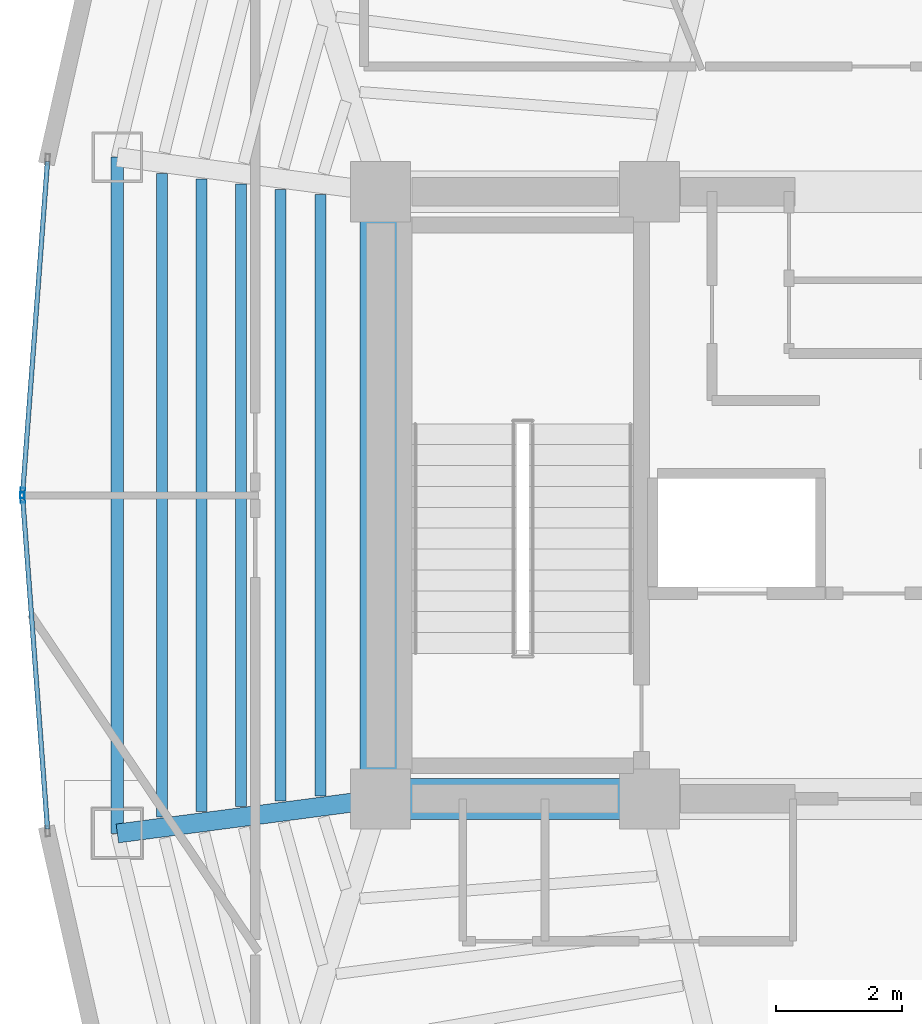
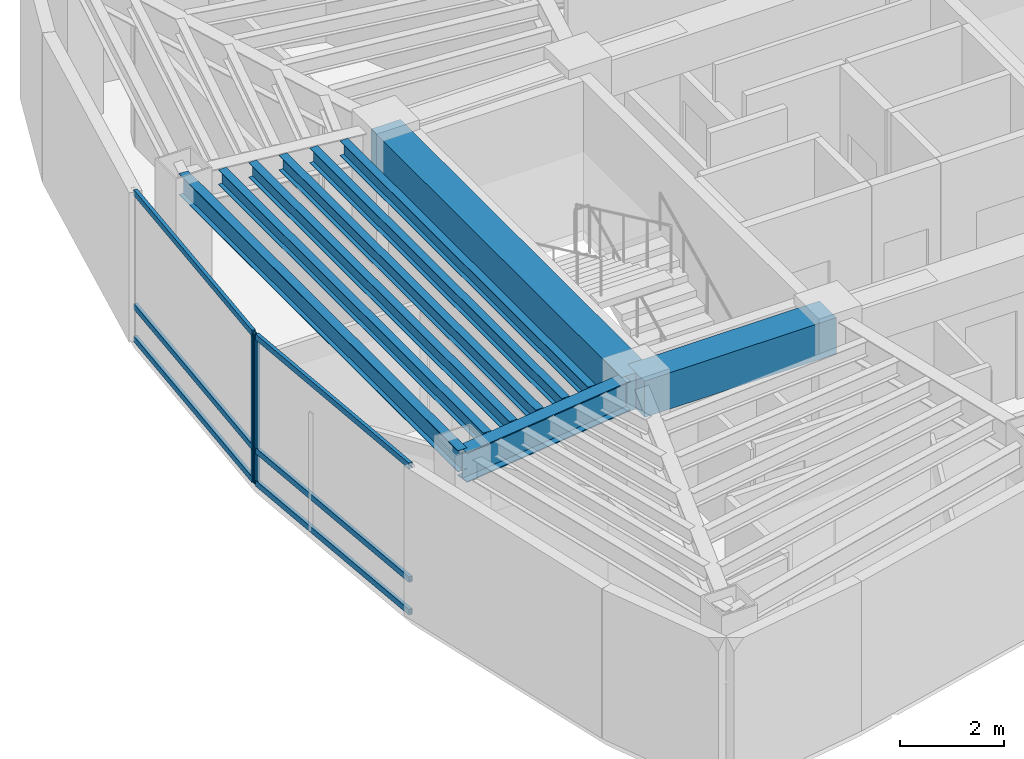
# One storey, part 4 of 15: 9 beams, 8 members, 2 elements without a shape of their own.
"""IFC4 building model written with IfcOpenShell, lengths in metres."""

from ifc_helpers import new_model, si_unit, direction, frame, origin, origin_2d, place, context, subcontext, project, spatial, rectangle, hollow_rectangle, i_section, extrude, material, layer, layer_set, material_profile, profile_set, type_object, element, aggregate, save


model = new_model("IFC4")

# Units and contexts
model_context = context("Model", 3, precision=1e-05, world=origin(), true_north=direction((0.0, 1.0)))
body_context = subcontext(model_context, "Body", "Model", "MODEL_VIEW")
ifc_project = project(units=[si_unit("LENGTHUNIT", "METRE"), si_unit("AREAUNIT", "SQUARE_METRE"), si_unit("VOLUMEUNIT", "CUBIC_METRE"), si_unit("PLANEANGLEUNIT", "RADIAN"), si_unit("MASSUNIT", "GRAM", prefix="KILO")], contexts=[model_context])

# Site, building, storey
site_placement = place(None, origin())
site = spatial("IfcSite", under=ifc_project, at=site_placement, CompositionType="ELEMENT")
building_placement = place(site_placement, origin())
building = spatial("IfcBuilding", under=site, at=building_placement, Name="Menara Vayukalpa", CompositionType="ELEMENT")
storey_placement = place(building_placement, frame((0.0, 0.0, 265.739990234375)))
storey = spatial("IfcBuildingStorey", under=building, at=storey_placement, Name="L67", CompositionType="ELEMENT", Elevation=265.739990234375)

# Beams
ifc_material_1 = material(Name="Concrete C60/75", Category="concrete")
ifc_material_profile_1 = material_profile(ifc_material_1, rectangle(XDim=0.64990234375, YDim=0.85009765625, at=origin_2d()), Name="RC 650x850")
ifc_profile_set_1 = profile_set([ifc_material_profile_1], Name="Concrete C60/75")
beam_type_1 = type_object("IfcBeamType", Name="BM-CB1", PredefinedType="BEAM", material=ifc_profile_set_1)
beam_1_placement = place(storey_placement, frame((17.800048828125, 17.199951171875, 3.074951171875), z_axis=(1.0, 0.0, 0.0), x_axis=(0.0, 1.0, 0.0)))
element("IfcBeam", 1, at=beam_1_placement, inside=storey, type_object=beam_type_1, Name="L67 Core Tie Beam CBR1", PredefinedType="BEAM", context=body_context, shape_type="SweptSolid", body=[
    extrude(rectangle(XDim=0.64990234375, YDim=0.85009765625, at=origin_2d()), origin(), (0.0, 0.0, 1.0), 4.25),
])
beam_2_placement = place(storey_placement, frame((17.800048828125, 17.199951171875, 3.074951171875), z_axis=(0.0, 1.0, 0.0), x_axis=(-1.0, 0.0, 0.0)))
element("IfcBeam", 2, at=beam_2_placement, inside=storey, type_object=beam_type_1, Name="L67 Core Tie Beam CBR7", PredefinedType="BEAM", context=body_context, shape_type="SweptSolid", body=[
    extrude(rectangle(XDim=0.64990234375, YDim=0.85009765625, at=origin_2d()), origin(), (0.0, 0.0, 1.0), 9.60009765625),
])
ifc_material_2 = material(Name="Steel S355", Category="steel")
ifc_material_profile_2 = material_profile(ifc_material_2, i_section(OverallWidth=0.300048828125, OverallDepth=0.699951171875, WebThickness=0.012939453125, FlangeThickness=0.02392578125, at=origin_2d()), Name="WF 700x300x13x24")
ifc_profile_set_2 = profile_set([ifc_material_profile_2], Name="Steel S355")
beam_type_2 = type_object("IfcBeamType", Name="BM-PG5", PredefinedType="BEAM", material=ifc_profile_set_2)
beam_3_placement = place(storey_placement, frame((17.552001953125, 17.16748046875, 3.14990234375), z_axis=(-0.991477860763, -0.130275291662, 0.0), x_axis=(0.130275291662, -0.991477860763, 0.0)))
element("IfcBeam", 3, at=beam_3_placement, inside=storey, type_object=beam_type_2, Name="L67 Primary Radial Girder RG06", PredefinedType="BEAM", context=body_context, shape_type="SweptSolid", body=[
    extrude(i_section(OverallWidth=0.300048828125, OverallDepth=0.699951171875, WebThickness=0.012939453125, FlangeThickness=0.02392578125, at=origin_2d()), origin(), (0.0, 0.0, 1.0), 3.94677734375),
])
ifc_material_3 = material(Name="Steel S355", Category="steel")
ifc_material_profile_3 = material_profile(ifc_material_3, i_section(OverallWidth=0.175048828125, OverallDepth=0.35009765625, WebThickness=0.007080078125, FlangeThickness=0.010986328125, at=origin_2d()), Name="WF 350x175x7x11")
ifc_profile_set_3 = profile_set([ifc_material_profile_3], Name="Steel S355")
beam_type_3 = type_object("IfcBeamType", Name="BM-SJ3", PredefinedType="JOIST", material=ifc_profile_set_3)
beam_4_placement = place(storey_placement, frame((16.84765625, 26.755126953125, 3.324951171875), z_axis=(0.0, -1.0, 0.0), x_axis=(1.0, 0.0, 0.0)))
element("IfcBeam", 4, at=beam_4_placement, inside=storey, type_object=beam_type_3, Name="L67 Secondary Floor Joist SJ05-1", PredefinedType="JOIST", context=body_context, shape_type="SweptSolid", body=[
    extrude(i_section(OverallWidth=0.175048828125, OverallDepth=0.35009765625, WebThickness=0.007080078125, FlangeThickness=0.010986328125, at=origin_2d()), origin(), (0.0, 0.0, 1.0), 9.51025390625),
])
beam_5_placement = place(storey_placement, frame((16.2216796875, 26.83740234375, 3.324951171875), z_axis=(0.0, -1.0, 0.0), x_axis=(1.0, 0.0, 0.0)))
element("IfcBeam", 5, at=beam_5_placement, inside=storey, type_object=beam_type_3, Name="L67 Secondary Floor Joist SJ05-2", PredefinedType="JOIST", context=body_context, shape_type="SweptSolid", body=[
    extrude(i_section(OverallWidth=0.175048828125, OverallDepth=0.35009765625, WebThickness=0.007080078125, FlangeThickness=0.010986328125, at=origin_2d()), origin(), (0.0, 0.0, 1.0), 9.6748046875),
])
beam_6_placement = place(storey_placement, frame((15.595458984375, 26.919677734375, 3.324951171875), z_axis=(0.0, -1.0, 0.0), x_axis=(1.0, 0.0, 0.0)))
element("IfcBeam", 6, at=beam_6_placement, inside=storey, type_object=beam_type_3, Name="L67 Secondary Floor Joist SJ05-3", PredefinedType="JOIST", context=body_context, shape_type="SweptSolid", body=[
    extrude(i_section(OverallWidth=0.175048828125, OverallDepth=0.35009765625, WebThickness=0.007080078125, FlangeThickness=0.010986328125, at=origin_2d()), origin(), (0.0, 0.0, 1.0), 9.83935546875),
])
beam_7_placement = place(storey_placement, frame((14.969482421875, 27.001953125, 3.324951171875), z_axis=(0.0, -1.0, 0.0), x_axis=(1.0, 0.0, 0.0)))
element("IfcBeam", 7, at=beam_7_placement, inside=storey, type_object=beam_type_3, Name="L67 Secondary Floor Joist SJ05-4", PredefinedType="JOIST", context=body_context, shape_type="SweptSolid", body=[
    extrude(i_section(OverallWidth=0.175048828125, OverallDepth=0.35009765625, WebThickness=0.007080078125, FlangeThickness=0.010986328125, at=origin_2d()), origin(), (0.0, 0.0, 1.0), 10.00390625),
])
beam_8_placement = place(storey_placement, frame((14.343505859375, 27.084228515625, 3.324951171875), z_axis=(0.0, -1.0, 0.0), x_axis=(1.0, 0.0, 0.0)))
element("IfcBeam", 8, at=beam_8_placement, inside=storey, type_object=beam_type_3, Name="L67 Secondary Floor Joist SJ05-5", PredefinedType="JOIST", context=body_context, shape_type="SweptSolid", body=[
    extrude(i_section(OverallWidth=0.175048828125, OverallDepth=0.35009765625, WebThickness=0.007080078125, FlangeThickness=0.010986328125, at=origin_2d()), origin(), (0.0, 0.0, 1.0), 10.16845703125),
])
ifc_material_4 = material(Name="Steel S355", Category="steel")
ifc_material_profile_4 = material_profile(ifc_material_4, i_section(OverallWidth=0.199951171875, OverallDepth=0.5, WebThickness=0.010009765625, FlangeThickness=0.01611328125, at=origin_2d()), Name="WF 500x200x10x16")
ifc_profile_set_4 = profile_set([ifc_material_profile_4], Name="Steel S355")
beam_type_4 = type_object("IfcBeamType", Name="BM-SP3", PredefinedType="SPANDREL", material=ifc_profile_set_4)
beam_9_placement = place(storey_placement, frame((13.638916015625, 27.3466796875, 3.25), z_axis=(0.0, -1.0, 0.0), x_axis=(1.0, 0.0, 0.0)))
element("IfcBeam", 9, at=beam_9_placement, inside=storey, type_object=beam_type_4, Name="L67 Perimeter Spandrel Beam SP05", PredefinedType="SPANDREL", context=body_context, shape_type="SweptSolid", body=[
    extrude(i_section(OverallWidth=0.199951171875, OverallDepth=0.5, WebThickness=0.010009765625, FlangeThickness=0.01611328125, at=origin_2d()), origin(), (0.0, 0.0, 1.0), 10.693359375),
])

# Curtain wall, member
ifc_material_5 = material(Name="Anodised Terracotta Aluminium Alloy 6063-T6", Category="masonry")
ifc_layer = layer(ifc_material_5, 0.1650390625)
ifc_layer_set = layer_set([ifc_layer], Name="Anodised Terracotta Aluminium Alloy 6063-T6")
curtain_wall_type = type_object("IfcCurtainWallType", Name="CW-CW6", PredefinedType="USERDEFINED", material=ifc_layer_set)
curtain_wall_1_placement = place(storey_placement, origin())
curtain_wall_1 = element("IfcCurtainWall", 10, at=curtain_wall_1_placement, inside=storey, type_object=curtain_wall_type, Name="L67 Observation and Executive Curtain Wall CW6 10", ObjectType="UNITISED", PredefinedType="USERDEFINED")
ifc_material_6 = material(Name="Anodised Terracotta Aluminium Alloy 6063-T6", Category="masonry")
ifc_material_profile_5 = material_profile(ifc_material_6, hollow_rectangle(XDim=0.070068359375, YDim=0.1650390625, WallThickness=0.00390625, at=origin_2d()), Name="ALU 70x165x4")
ifc_profile_set_5 = profile_set([ifc_material_profile_5], Name="Anodised Terracotta Aluminium Alloy 6063-T6")
member_type_1 = type_object("IfcMemberType", Name="CWM-CW6", PredefinedType="MULLION", material=ifc_profile_set_5)
member_1_placement = place(storey_placement, frame((12.140625, 22.034912109375, 0.0), z_axis=(0.0, 0.0, 1.0), x_axis=(0.997199344663, -0.074789484574, 0.0)))
member_1 = element("IfcMember", 11, at=member_1_placement, type_object=member_type_1, Name="CW6 mullion 2", PredefinedType="MULLION", context=body_context, shape_type="SweptSolid", body=[
    extrude(hollow_rectangle(XDim=0.070068359375, YDim=0.1650390625, WallThickness=0.00390625, at=origin_2d()), origin(), (0.0, 0.0, 1.0), 3.5),
])

curtain_wall_2_placement = place(storey_placement, origin())
curtain_wall_2 = element("IfcCurtainWall", 12, at=curtain_wall_2_placement, inside=storey, type_object=curtain_wall_type, Name="L67 Observation and Executive Curtain Wall CW6 11", ObjectType="UNITISED", PredefinedType="USERDEFINED")
member_2_placement = place(storey_placement, frame((12.140625, 21.965087890625, 0.0), z_axis=(0.0, 0.0, 1.0), x_axis=(0.997199344663, 0.074789484574, 0.0)))
member_2 = element("IfcMember", 13, at=member_2_placement, type_object=member_type_1, Name="CW6 mullion 1", PredefinedType="MULLION", context=body_context, shape_type="SweptSolid", body=[
    extrude(hollow_rectangle(XDim=0.070068359375, YDim=0.1650390625, WallThickness=0.00390625, at=origin_2d()), origin(), (0.0, 0.0, 1.0), 3.5),
])

# Member
ifc_material_7 = material(Name="Anodised Terracotta Aluminium Alloy 6063-T6", Category="masonry")
ifc_material_profile_6 = material_profile(ifc_material_7, hollow_rectangle(XDim=0.074951171875, YDim=0.135009765625, WallThickness=0.00390625, at=origin_2d()), Name="ALU 75x135x4")
ifc_profile_set_6 = profile_set([ifc_material_profile_6], Name="Anodised Terracotta Aluminium Alloy 6063-T6")
member_type_2 = type_object("IfcMemberType", Name="CWT-CW6", PredefinedType="USERDEFINED", material=ifc_profile_set_6)
member_3_placement = place(storey_placement, frame((12.53369140625, 27.27685546875, 0.03759765625), z_axis=(-0.074762051827, -0.997201401727, 0.0), x_axis=(0.997201401727, -0.074762051827, 0.0)))
member_3 = element("IfcMember", 14, at=member_3_placement, type_object=member_type_2, Name="CW6 transom 1.1", ObjectType="TRANSOM", PredefinedType="USERDEFINED", context=body_context, shape_type="SweptSolid", body=[
    extrude(hollow_rectangle(XDim=0.074951171875, YDim=0.135009765625, WallThickness=0.00390625, at=origin_2d()), origin(), (0.0, 0.0, 1.0), 5.2216796875),
])

member_4_placement = place(storey_placement, frame((12.53369140625, 27.27685546875, 0.800048828125), z_axis=(-0.074762051827, -0.997201401727, 0.0), x_axis=(0.997201401727, -0.074762051827, 0.0)))
member_4 = element("IfcMember", 15, at=member_4_placement, type_object=member_type_2, Name="CW6 transom 1.2", ObjectType="TRANSOM", PredefinedType="USERDEFINED", context=body_context, shape_type="SweptSolid", body=[
    extrude(hollow_rectangle(XDim=0.074951171875, YDim=0.135009765625, WallThickness=0.00390625, at=origin_2d()), origin(), (0.0, 0.0, 1.0), 5.2216796875),
])

member_5_placement = place(storey_placement, frame((12.53369140625, 27.27685546875, 3.46240234375), z_axis=(-0.074762051827, -0.997201401727, 0.0), x_axis=(0.997201401727, -0.074762051827, 0.0)))
member_5 = element("IfcMember", 16, at=member_5_placement, type_object=member_type_2, Name="CW6 transom 1.3", ObjectType="TRANSOM", PredefinedType="USERDEFINED", context=body_context, shape_type="SweptSolid", body=[
    extrude(hollow_rectangle(XDim=0.074951171875, YDim=0.135009765625, WallThickness=0.00390625, at=origin_2d()), origin(), (0.0, 0.0, 1.0), 5.2216796875),
])

aggregate(curtain_wall_1, [member_1, member_3, member_4, member_5])

member_6_placement = place(storey_placement, frame((12.143310546875, 21.93017578125, 0.03759765625), z_axis=(0.074762051827, -0.997201401727, 0.0), x_axis=(0.997201401727, 0.074762051827, 0.0)))
member_6 = element("IfcMember", 17, at=member_6_placement, type_object=member_type_2, Name="CW6 transom 1.1", ObjectType="TRANSOM", PredefinedType="USERDEFINED", context=body_context, shape_type="SweptSolid", body=[
    extrude(hollow_rectangle(XDim=0.074951171875, YDim=0.135009765625, WallThickness=0.00390625, at=origin_2d()), origin(), (0.0, 0.0, 1.0), 5.2216796875),
])

member_7_placement = place(storey_placement, frame((12.143310546875, 21.93017578125, 0.800048828125), z_axis=(0.074762051827, -0.997201401727, 0.0), x_axis=(0.997201401727, 0.074762051827, 0.0)))
member_7 = element("IfcMember", 18, at=member_7_placement, type_object=member_type_2, Name="CW6 transom 1.2", ObjectType="TRANSOM", PredefinedType="USERDEFINED", context=body_context, shape_type="SweptSolid", body=[
    extrude(hollow_rectangle(XDim=0.074951171875, YDim=0.135009765625, WallThickness=0.00390625, at=origin_2d()), origin(), (0.0, 0.0, 1.0), 5.2216796875),
])

member_8_placement = place(storey_placement, frame((12.143310546875, 21.93017578125, 3.46240234375), z_axis=(0.074762051827, -0.997201401727, 0.0), x_axis=(0.997201401727, 0.074762051827, 0.0)))
member_8 = element("IfcMember", 19, at=member_8_placement, type_object=member_type_2, Name="CW6 transom 1.3", ObjectType="TRANSOM", PredefinedType="USERDEFINED", context=body_context, shape_type="SweptSolid", body=[
    extrude(hollow_rectangle(XDim=0.074951171875, YDim=0.135009765625, WallThickness=0.00390625, at=origin_2d()), origin(), (0.0, 0.0, 1.0), 5.2216796875),
])

aggregate(curtain_wall_2, [member_2, member_6, member_7, member_8])

save(model, "model.ifc")
